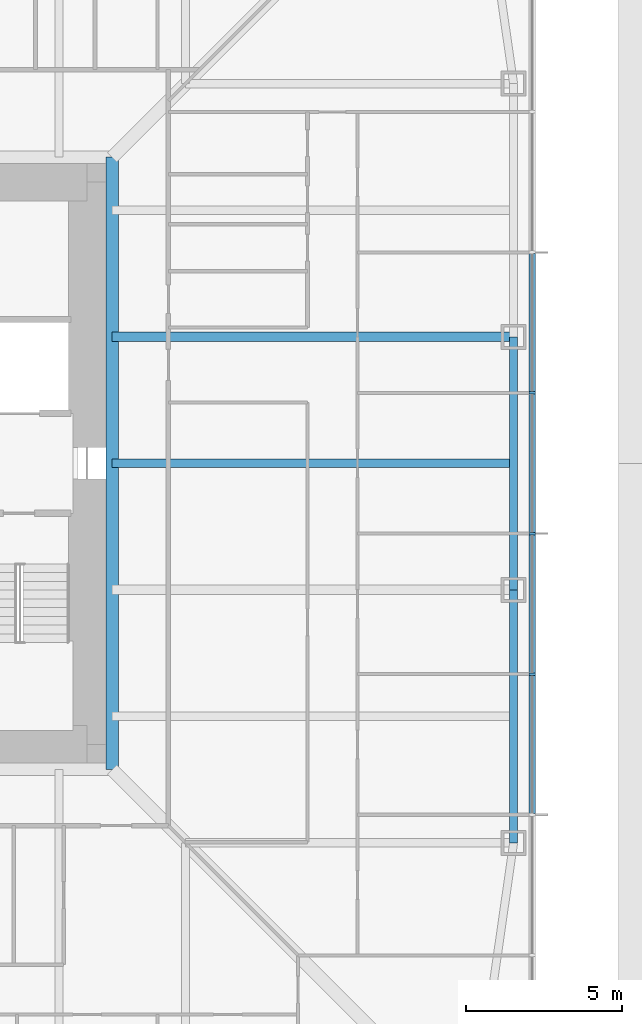
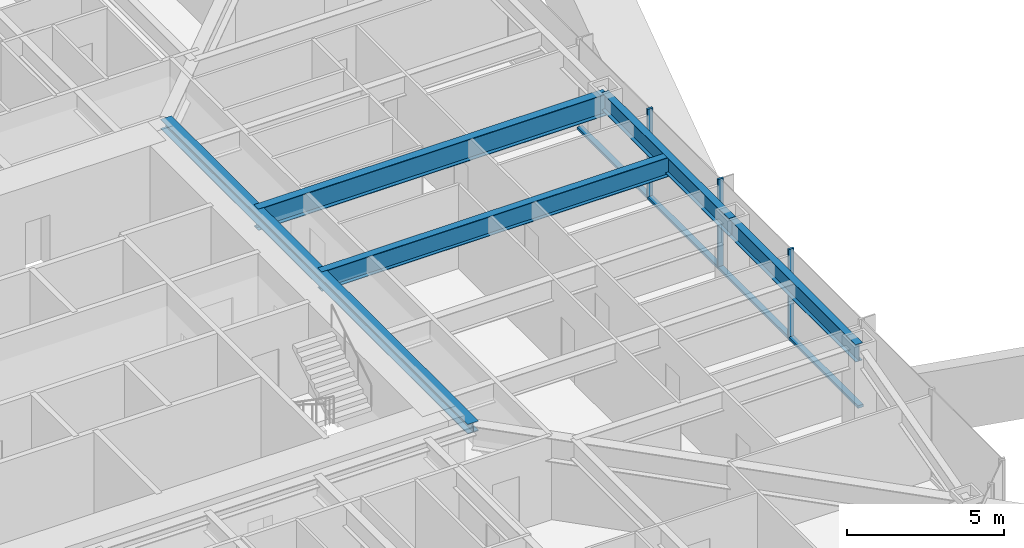
# One storey, part 6 of 28: 7 members, 5 beams, 1 element without a shape of its own.
"""IFC4 building model written with IfcOpenShell, lengths in metres."""

from ifc_helpers import new_model, si_unit, direction, frame, origin, origin_2d, place, context, subcontext, project, spatial, rectangle, i_section, extrude, material, material_profile, profile_set, type_object, element, aggregate, save


model = new_model("IFC4")

# Units and contexts
model_context = context("Model", 3, precision=1e-05, world=origin(), true_north=direction((0.0, 1.0)))
body_context = subcontext(model_context, "Body", "Model", "MODEL_VIEW")
ifc_project = project(units=[si_unit("LENGTHUNIT", "METRE"), si_unit("AREAUNIT", "SQUARE_METRE"), si_unit("VOLUMEUNIT", "CUBIC_METRE"), si_unit("PLANEANGLEUNIT", "RADIAN"), si_unit("MASSUNIT", "GRAM", prefix="KILO")], contexts=[model_context])

# Site, building, storey
site_placement = place(None, origin())
site = spatial("IfcSite", under=ifc_project, at=site_placement, CompositionType="ELEMENT")
building_placement = place(site_placement, origin())
building = spatial("IfcBuilding", under=site, at=building_placement, Name="Iwan Alto Co-Living Towers", CompositionType="ELEMENT")
storey_placement = place(building_placement, frame((0.0, 0.0, 64.0)))
storey = spatial("IfcBuildingStorey", under=building, at=storey_placement, Name="L17", CompositionType="ELEMENT", Elevation=64.0)

# Curtain wall, members
ifc_material_1 = material(Name="Bronze aluminium unitised frame", Category="aluminium")
curtain_wall_type = type_object("IfcCurtainWallType", Name="CURTAIN WALL CW-A", PredefinedType="NOTDEFINED", material=ifc_material_1)
curtain_wall_placement = place(storey_placement, origin())
curtain_wall = element("IfcCurtainWall", 1, at=curtain_wall_placement, inside=storey, type_object=curtain_wall_type, Name="T1 curtain wall E L17", PredefinedType="NOTDEFINED")
ifc_material_2 = material(Name="Aluminium 6063-T6 bronze anodised", Category="aluminium")
ifc_material_profile_1 = material_profile(ifc_material_2, rectangle(XDim=0.199951171875, YDim=0.080078125, at=origin_2d()), Name="AL 80X200")
ifc_profile_set_1 = profile_set([ifc_material_profile_1], Name="Aluminium 6063-T6 bronze anodised")
member_type_1 = type_object("IfcMemberType", Name="CW-A MULLION 80X200", PredefinedType="MULLION", material=ifc_profile_set_1)
member_1_placement = place(storey_placement, frame((23.25, -6.75, 0.0), z_axis=(0.0, 0.0, 1.0), x_axis=(-1.0, 0.0, 0.0)))
member_1 = element("IfcMember", 2, at=member_1_placement, type_object=member_type_1, Name="CW-A mullion 4", PredefinedType="MULLION", context=body_context, shape_type="SweptSolid", body=[
    extrude(rectangle(XDim=0.199951171875, YDim=0.080078125, at=origin_2d()), origin(), (0.0, 0.0, 1.0), 3.5),
])
member_2_placement = place(storey_placement, frame((23.25, -2.25, 0.0), z_axis=(0.0, 0.0, 1.0), x_axis=(-1.0, 0.0, 0.0)))
member_2 = element("IfcMember", 3, at=member_2_placement, type_object=member_type_1, Name="CW-A mullion 5", PredefinedType="MULLION", context=body_context, shape_type="SweptSolid", body=[
    extrude(rectangle(XDim=0.199951171875, YDim=0.080078125, at=origin_2d()), origin(), (0.0, 0.0, 1.0), 3.5),
])
member_3_placement = place(storey_placement, frame((23.25, 2.25, 0.0), z_axis=(0.0, 0.0, 1.0), x_axis=(-1.0, 0.0, 0.0)))
member_3 = element("IfcMember", 4, at=member_3_placement, type_object=member_type_1, Name="CW-A mullion 6", PredefinedType="MULLION", context=body_context, shape_type="SweptSolid", body=[
    extrude(rectangle(XDim=0.199951171875, YDim=0.080078125, at=origin_2d()), origin(), (0.0, 0.0, 1.0), 3.5),
])
ifc_material_3 = material(Name="Aluminium 6063-T6 bronze anodised", Category="aluminium")
ifc_material_profile_2 = material_profile(ifc_material_3, rectangle(XDim=0.199951171875, YDim=0.10009765625, at=origin_2d()), Name="AL 200X100")
ifc_profile_set_2 = profile_set([ifc_material_profile_2], Name="Aluminium 6063-T6 bronze anodised")
member_type_2 = type_object("IfcMemberType", Name="CW-A TRANSOM 200X100", PredefinedType="USERDEFINED", material=ifc_profile_set_2)
member_4_placement = place(storey_placement, frame((23.25, -11.2099609375, 0.050048828125), z_axis=(0.0, 1.0, 0.0), x_axis=(-1.0, 0.0, 0.0)))
member_4 = element("IfcMember", 5, at=member_4_placement, type_object=member_type_2, Name="CW-A transom 3.1", ObjectType="TRANSOM", PredefinedType="USERDEFINED", context=body_context, shape_type="SweptSolid", body=[
    extrude(rectangle(XDim=0.199951171875, YDim=0.10009765625, at=origin_2d()), origin(), (0.0, 0.0, 1.0), 4.419921875),
])
member_5_placement = place(storey_placement, frame((23.25, -6.7099609375, 0.050048828125), z_axis=(0.0, 1.0, 0.0), x_axis=(-1.0, 0.0, 0.0)))
member_5 = element("IfcMember", 6, at=member_5_placement, type_object=member_type_2, Name="CW-A transom 4.1", ObjectType="TRANSOM", PredefinedType="USERDEFINED", context=body_context, shape_type="SweptSolid", body=[
    extrude(rectangle(XDim=0.199951171875, YDim=0.10009765625, at=origin_2d()), origin(), (0.0, 0.0, 1.0), 4.419921875),
])
member_6_placement = place(storey_placement, frame((23.25, -2.2099609375, 0.050048828125), z_axis=(0.0, 1.0, 0.0), x_axis=(-1.0, 0.0, 0.0)))
member_6 = element("IfcMember", 7, at=member_6_placement, type_object=member_type_2, Name="CW-A transom 5.1", ObjectType="TRANSOM", PredefinedType="USERDEFINED", context=body_context, shape_type="SweptSolid", body=[
    extrude(rectangle(XDim=0.199951171875, YDim=0.10009765625, at=origin_2d()), origin(), (0.0, 0.0, 1.0), 4.419921875),
])
member_7_placement = place(storey_placement, frame((23.25, 2.2900390625, 0.050048828125), z_axis=(0.0, 1.0, 0.0), x_axis=(-1.0, 0.0, 0.0)))
member_7 = element("IfcMember", 8, at=member_7_placement, type_object=member_type_2, Name="CW-A transom 6.1", ObjectType="TRANSOM", PredefinedType="USERDEFINED", context=body_context, shape_type="SweptSolid", body=[
    extrude(rectangle(XDim=0.199951171875, YDim=0.10009765625, at=origin_2d()), origin(), (0.0, 0.0, 1.0), 4.419921875),
])
aggregate(curtain_wall, [member_1, member_2, member_3, member_4, member_5, member_6, member_7])

# Beams
ifc_material_4 = material(Name="Steel ASTM A992 Gr 50", Category="steel")
ifc_material_profile_3 = material_profile(ifc_material_4, i_section(OverallWidth=0.398681640625, OverallDepth=0.385986328125, WebThickness=0.02099609375, FlangeThickness=0.033203125, at=origin_2d()), Name="W14X176")
ifc_profile_set_3 = profile_set([ifc_material_profile_3], Name="Steel ASTM A992 Gr 50")
beam_type_1 = type_object("IfcBeamType", Name="T1 CORE LEDGER BEAM W14X176", PredefinedType="BEAM", material=ifc_profile_set_3)
beam_1_placement = place(storey_placement, frame((9.79931640625, -9.79931640625, 3.076904296875), z_axis=(0.0, 1.0, 0.0), x_axis=(-1.0, 0.0, 0.0)))
element("IfcBeam", 9, at=beam_1_placement, inside=storey, type_object=beam_type_1, Name="T1 core ledger beam E L18", PredefinedType="BEAM", context=body_context, shape_type="SweptSolid", body=[
    extrude(i_section(OverallWidth=0.398681640625, OverallDepth=0.385986328125, WebThickness=0.02099609375, FlangeThickness=0.033203125, at=origin_2d()), origin(), (0.0, 0.0, 1.0), 19.5986328125),
])
ifc_material_5 = material(Name="Steel ASTM A992 Gr 50", Category="steel")
ifc_material_profile_4 = material_profile(ifc_material_5, i_section(OverallWidth=0.25390625, OverallDepth=0.683349609375, WebThickness=0.012451171875, FlangeThickness=0.018798828125, at=origin_2d()), Name="W27X94")
ifc_profile_set_4 = profile_set([ifc_material_profile_4], Name="Steel ASTM A992 Gr 50")
beam_type_2 = type_object("IfcBeamType", Name="T1 EDGE BEAM W27X94", PredefinedType="BEAM", material=ifc_profile_set_4)
beam_2_placement = place(storey_placement, frame((22.64990234375, -12.14990234375, 2.928466796875), z_axis=(0.0, 1.0, 0.0), x_axis=(-1.0, 0.0, 0.0)))
element("IfcBeam", 10, at=beam_2_placement, inside=storey, type_object=beam_type_2, Name="T1 edge beam E1 L18", PredefinedType="BEAM", context=body_context, shape_type="SweptSolid", body=[
    extrude(i_section(OverallWidth=0.25390625, OverallDepth=0.683349609375, WebThickness=0.012451171875, FlangeThickness=0.018798828125, at=origin_2d()), origin(), (0.0, 0.0, 1.0), 8.099853515625),
])
beam_3_placement = place(storey_placement, frame((22.64990234375, -4.050048828125, 2.928466796875), z_axis=(0.0, 1.0, 0.0), x_axis=(-1.0, 0.0, 0.0)))
element("IfcBeam", 11, at=beam_3_placement, inside=storey, type_object=beam_type_2, Name="T1 edge beam E2 L18", PredefinedType="BEAM", context=body_context, shape_type="SweptSolid", body=[
    extrude(i_section(OverallWidth=0.25390625, OverallDepth=0.683349609375, WebThickness=0.012451171875, FlangeThickness=0.018798828125, at=origin_2d()), origin(), (0.0, 0.0, 1.0), 8.10009765625),
])
ifc_material_6 = material(Name="Steel ASTM A992 Gr 50", Category="steel")
ifc_material_profile_5 = material_profile(ifc_material_6, i_section(OverallWidth=0.2919921875, OverallDepth=0.8408203125, WebThickness=0.0146484375, FlangeThickness=0.021728515625, at=origin_2d()), Name="W33X130")
ifc_profile_set_5 = profile_set([ifc_material_profile_5], Name="Steel ASTM A992 Gr 50")
beam_type_3 = type_object("IfcBeamType", Name="T1 RADIAL BEAM W33X130", PredefinedType="BEAM", material=ifc_profile_set_5)
beam_4_placement = place(storey_placement, frame((22.64990234375, 4.050048828125, 2.849609375), z_axis=(-1.0, 0.0, 0.0), x_axis=(0.0, -1.0, 0.0)))
element("IfcBeam", 12, at=beam_4_placement, inside=storey, type_object=beam_type_3, Name="T1 radial beam E3 L18", PredefinedType="BEAM", context=body_context, shape_type="SweptSolid", body=[
    extrude(i_section(OverallWidth=0.2919921875, OverallDepth=0.8408203125, WebThickness=0.0146484375, FlangeThickness=0.021728515625, at=origin_2d()), origin(), (0.0, 0.0, 1.0), 12.8505859375),
])
ifc_material_7 = material(Name="Steel ASTM A992 Gr 50", Category="steel")
ifc_material_profile_6 = material_profile(ifc_material_7, i_section(OverallWidth=0.2666015625, OverallDepth=0.761962890625, WebThickness=0.014404296875, FlangeThickness=0.021484375, at=origin_2d()), Name="W30X116")
ifc_profile_set_6 = profile_set([ifc_material_profile_6], Name="Steel ASTM A992 Gr 50")
beam_type_4 = type_object("IfcBeamType", Name="T1 SECONDARY BEAM W30X116", PredefinedType="JOIST", material=ifc_profile_set_6)
beam_5_placement = place(storey_placement, frame((22.64990234375, 0.0, 2.888916015625), z_axis=(-1.0, 0.0, 0.0), x_axis=(0.0, -1.0, 0.0)))
element("IfcBeam", 13, at=beam_5_placement, inside=storey, type_object=beam_type_4, Name="T1 secondary beam E2 L18", PredefinedType="JOIST", context=body_context, shape_type="SweptSolid", body=[
    extrude(i_section(OverallWidth=0.2666015625, OverallDepth=0.761962890625, WebThickness=0.014404296875, FlangeThickness=0.021484375, at=origin_2d()), origin(), (0.0, 0.0, 1.0), 12.8505859375),
])

save(model, "model.ifc")
